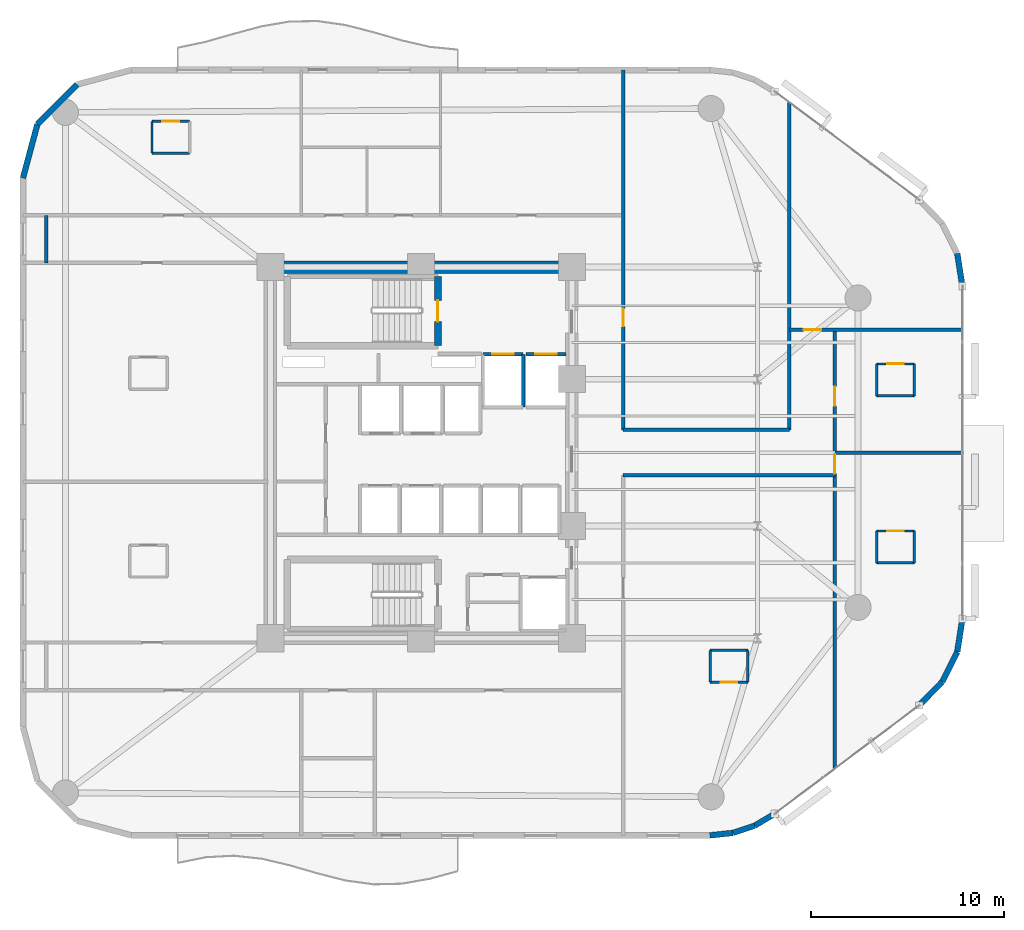
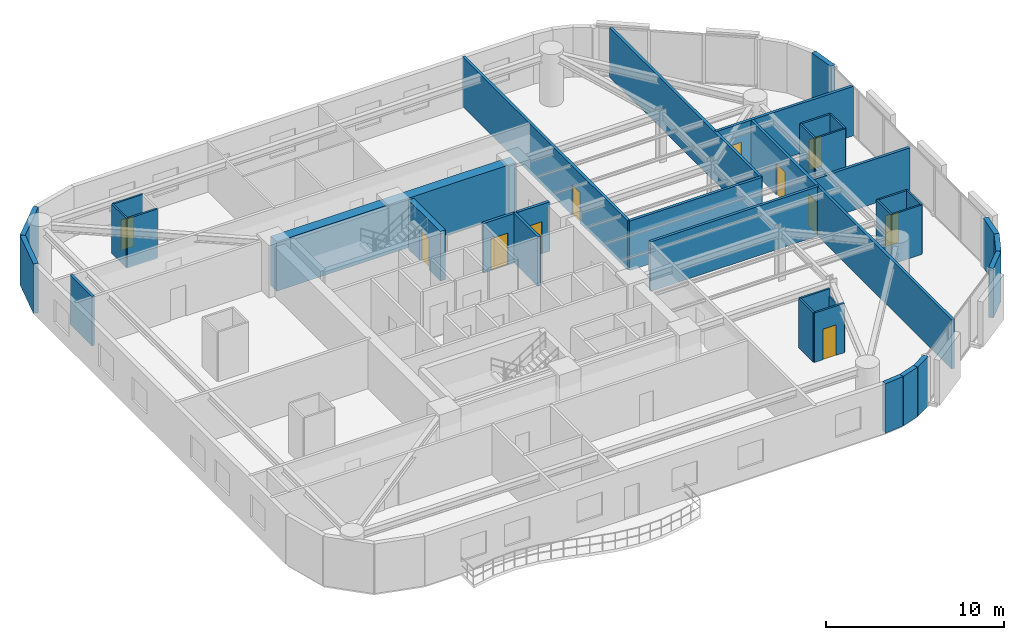
# One storey, part 12 of 16: 37 walls, 11 doors, 11 openings.
"""IFC4 building model written with IfcOpenShell, lengths in metres."""

from ifc_helpers import new_model, si_unit, direction, frame, frame_2d, origin, place, context, subcontext, project, spatial, rectangle, extrude, material, layer, layer_set, type_object, element, fill, save


model = new_model("IFC4")

# Units and contexts
model_context = context("Model", 3, precision=1e-05, world=origin(), true_north=direction((0.0, 1.0)))
body_context = subcontext(model_context, "Body", "Model", "MODEL_VIEW")
ifc_project = project(units=[si_unit("LENGTHUNIT", "METRE"), si_unit("AREAUNIT", "SQUARE_METRE"), si_unit("VOLUMEUNIT", "CUBIC_METRE"), si_unit("PLANEANGLEUNIT", "RADIAN"), si_unit("MASSUNIT", "GRAM", prefix="KILO")], contexts=[model_context])

# Site, building, storey
site_placement = place(None, origin())
site = spatial("IfcSite", under=ifc_project, at=site_placement, CompositionType="ELEMENT")
building_placement = place(site_placement, origin())
building = spatial("IfcBuilding", under=site, at=building_placement, Name="An Khanh Terracotta Commons", CompositionType="ELEMENT")
storey_placement = place(building_placement, frame((0.0, 0.0, 107.89990234375)))
storey = spatial("IfcBuildingStorey", under=building, at=storey_placement, Name="L28", CompositionType="ELEMENT", Elevation=107.89990234375)

# Wall
ifc_material_1 = material(Name="Concrete C60/75", Category="concrete")
ifc_layer_1 = layer(ifc_material_1, 0.64990234375, Name="Concrete C60/75")
ifc_layer_set_1 = layer_set([ifc_layer_1], Name="Concrete C60/75")
wall_type_1 = type_object("IfcWallType", Name="WALL-CORE-650", PredefinedType="SHEAR", material=ifc_layer_set_1)
wall_1_placement = place(storey_placement, frame((21.60009765625, 33.60009765625, 0.0), z_axis=(0.0, 0.0, 1.0), x_axis=(1.0, 0.0, 0.0)))
element("IfcWall", 1, at=wall_1_placement, inside=storey, type_object=wall_type_1, Name="L28 Core Wall CWALL-L28-N", PredefinedType="SHEAR", context=body_context, shape_type="SweptSolid", body=[
    extrude(rectangle(XDim=15.599853515625, YDim=0.64990234375, at=frame_2d((7.7998046875, 0.0))), origin(), (0.0, 0.0, 1.0), 3.400146484375),
])

# Wall, opening, door
ifc_material_2 = material(Name="Fire-Rated Gypsum Board on Steel Stud", Category="steel")
ifc_layer_2 = layer(ifc_material_2, 0.179931640625, Name="Fire-Rated Gypsum Board on Steel Stud")
ifc_layer_set_2 = layer_set([ifc_layer_2], Name="Fire-Rated Gypsum Board on Steel Stud")
wall_type_2 = type_object("IfcWallType", Name="WALL-CORR-180", PredefinedType="PARTITIONING", material=ifc_layer_set_2)
wall_2_placement = place(storey_placement, frame((32.60009765625, 29.080078125, 0.0), z_axis=(0.0, 0.0, 1.0), x_axis=(1.0, 0.0, 0.0)))
wall_2 = element("IfcWall", 2, at=wall_2_placement, inside=storey, type_object=wall_type_2, Name="L28 Core Wall LSH-L28-FFL-01-N", PredefinedType="PARTITIONING", context=body_context, shape_type="SweptSolid", body=[
    extrude(rectangle(XDim=2.079833984375, YDim=0.179931640625, at=frame_2d((1.0400390625, 0.0))), origin(), (0.0, 0.0, 1.0), 3.400146484375),
])
opening_1_placement = place(wall_2_placement, frame((0.489990234375, 0.0, 0.0)))
opening_1 = element("IfcOpeningElement", 3, at=opening_1_placement, cuts=wall_2, Name="Opening LD-FFL-01-L28", PredefinedType="OPENING", context=body_context, shape_type="SweptSolid", body=[
    extrude(rectangle(XDim=1.10009765625, YDim=2.199951171875, at=frame_2d((0.550048828125, 1.10009765625))), frame((0.0, 0.099853515625, 0.0), z_axis=(0.0, -1.0, 0.0), x_axis=(1.0, 0.0, 0.0)), (0.0, 0.0, 1.0), 0.199951171875),
])
ifc_material_3 = material(Name="Brushed Stainless Steel Fire Landing Door", Category="steel")
door_type_1 = type_object("IfcDoorType", Name="DOOR-LD-FFL-1100", OperationType="NOTDEFINED", PredefinedType="DOOR", material=ifc_material_3)
door_1_placement = place(opening_1_placement, origin())
door_1 = element("IfcDoor", 4, at=door_1_placement, inside=storey, type_object=door_type_1, Name="L28 Lift FFL-01 Sliding Landing Door", OperationType="DOUBLE_DOOR_SLIDING", OverallHeight=2.199951171875, OverallWidth=1.10009765625, PredefinedType="DOOR", context=body_context, shape_type="SweptSolid", body=[
    extrude(rectangle(XDim=1.10009765625, YDim=2.199951171875, at=frame_2d((0.550048828125, 1.10009765625))), frame((0.0, 0.02490234375, 0.0), z_axis=(0.0, -1.0, 0.0), x_axis=(1.0, 0.0, 0.0)), (0.0, 0.0, 1.0), 0.050048828125),
])
fill(opening_1, door_1)

# Wall
wall_3_placement = place(storey_placement, frame((34.679931640625, 26.35009765625, 0.0), z_axis=(0.0, 0.0, 1.0), x_axis=(0.0, 1.0, 0.0)))
element("IfcWall", 5, at=wall_3_placement, inside=storey, type_object=wall_type_2, Name="L28 Core Wall LSH-L28-FFL-01-E", PredefinedType="PARTITIONING", context=body_context, shape_type="SweptSolid", body=[
    extrude(rectangle(XDim=2.72998046875, YDim=0.179931640625, at=frame_2d((1.364990234375, 0.0))), origin(), (0.0, 0.0, 1.0), 3.400146484375),
])

# Wall, opening, door
wall_4_placement = place(storey_placement, frame((34.820068359375, 29.080078125, 0.0), z_axis=(0.0, 0.0, 1.0), x_axis=(1.0, 0.0, 0.0)))
wall_4 = element("IfcWall", 6, at=wall_4_placement, inside=storey, type_object=wall_type_2, Name="L28 Core Wall LSH-L28-FFL-02-N", PredefinedType="PARTITIONING", context=body_context, shape_type="SweptSolid", body=[
    extrude(rectangle(XDim=2.079833984375, YDim=0.179931640625, at=frame_2d((1.0400390625, 0.0))), origin(), (0.0, 0.0, 1.0), 3.400146484375),
])
opening_2_placement = place(wall_4_placement, frame((0.489990234375, 0.0, 0.0)))
opening_2 = element("IfcOpeningElement", 7, at=opening_2_placement, cuts=wall_4, Name="Opening LD-FFL-02-L28", PredefinedType="OPENING", context=body_context, shape_type="SweptSolid", body=[
    extrude(rectangle(XDim=1.10009765625, YDim=2.199951171875, at=frame_2d((0.550048828125, 1.10009765625))), frame((0.0, 0.099853515625, 0.0), z_axis=(0.0, -1.0, 0.0), x_axis=(1.0, 0.0, 0.0)), (0.0, 0.0, 1.0), 0.199951171875),
])
door_2_placement = place(opening_2_placement, origin())
door_2 = element("IfcDoor", 8, at=door_2_placement, inside=storey, type_object=door_type_1, Name="L28 Lift FFL-02 Sliding Landing Door", OperationType="DOUBLE_DOOR_SLIDING", OverallHeight=2.199951171875, OverallWidth=1.10009765625, PredefinedType="DOOR", context=body_context, shape_type="SweptSolid", body=[
    extrude(rectangle(XDim=1.10009765625, YDim=2.199951171875, at=frame_2d((0.550048828125, 1.10009765625))), frame((0.0, 0.02490234375, 0.0), z_axis=(0.0, -1.0, 0.0), x_axis=(1.0, 0.0, 0.0)), (0.0, 0.0, 1.0), 0.050048828125),
])
fill(opening_2, door_2)

# Walls
wall_5_placement = place(storey_placement, frame((39.85009765625, 22.820068359375, 0.0), z_axis=(0.0, 0.0, 1.0), x_axis=(1.0, 0.0, 0.0)))
element("IfcWall", 9, at=wall_5_placement, inside=storey, type_object=wall_type_2, Name="L28 Interior Partition IW-L28-E005", PredefinedType="PARTITIONING", context=body_context, shape_type="SweptSolid", body=[
    extrude(rectangle(XDim=10.949951171875, YDim=0.179931640625, at=frame_2d((5.47509765625, 0.0))), origin(), (0.0, 0.0, 1.0), 3.400146484375),
])
wall_6_placement = place(storey_placement, frame((50.800048828125, 24.0, 0.0), z_axis=(0.0, 0.0, 1.0), x_axis=(1.0, 0.0, 0.0)))
element("IfcWall", 10, at=wall_6_placement, inside=storey, type_object=wall_type_2, Name="L28 Interior Partition IW-L28-E006", PredefinedType="PARTITIONING", context=body_context, shape_type="SweptSolid", body=[
    extrude(rectangle(XDim=6.599853515625, YDim=0.179931640625, at=frame_2d((3.2998046875, 0.0))), origin(), (0.0, 0.0, 1.0), 3.022216796875),
])
wall_7_placement = place(storey_placement, frame((39.85009765625, 25.179931640625, 0.0), z_axis=(0.0, 0.0, 1.0), x_axis=(1.0, 0.0, 0.0)))
element("IfcWall", 11, at=wall_7_placement, inside=storey, type_object=wall_type_2, Name="L28 Interior Partition IW-L28-E007", PredefinedType="PARTITIONING", context=body_context, shape_type="SweptSolid", body=[
    extrude(rectangle(XDim=8.599853515625, YDim=0.179931640625, at=frame_2d((4.2998046875, 0.0))), origin(), (0.0, 0.0, 1.0), 3.400146484375),
])

# Wall, opening, door
wall_8_placement = place(storey_placement, frame((48.449951171875, 30.35009765625, 0.0), z_axis=(0.0, 0.0, 1.0), x_axis=(1.0, 0.0, 0.0)))
wall_8 = element("IfcWall", 12, at=wall_8_placement, inside=storey, type_object=wall_type_2, Name="L28 Interior Partition IW-L28-E008", PredefinedType="PARTITIONING", context=body_context, shape_type="SweptSolid", body=[
    extrude(rectangle(XDim=8.949951171875, YDim=0.179931640625, at=frame_2d((4.47509765625, 0.0))), origin(), (0.0, 0.0, 1.0), 3.400146484375),
])
opening_3_placement = place(wall_8_placement, frame((0.73291015625, 0.0, 0.0)))
opening_3 = element("IfcOpeningElement", 13, at=opening_3_placement, cuts=wall_8, Name="Opening D-RM", PredefinedType="OPENING", context=body_context, shape_type="SweptSolid", body=[
    extrude(rectangle(XDim=0.919921875, YDim=2.10009765625, at=frame_2d((0.4599609375, 1.050048828125))), frame((0.0, 0.099853515625, 0.0), z_axis=(0.0, -1.0, 0.0), x_axis=(1.0, 0.0, 0.0)), (0.0, 0.0, 1.0), 0.199951171875),
])
ifc_material_4 = material(Name="Engineered Hardwood Timber Leaf", Category="wood")
door_type_2 = type_object("IfcDoorType", Name="DOOR-INT-920", OperationType="NOTDEFINED", PredefinedType="DOOR", material=ifc_material_4)
door_3_placement = place(opening_3_placement, origin())
door_3 = element("IfcDoor", 14, at=door_3_placement, inside=storey, type_object=door_type_2, Name="L28 ZCN Research Study Office Door", OperationType="SINGLE_SWING_RIGHT", OverallHeight=2.10009765625, OverallWidth=0.919921875, PredefinedType="DOOR", context=body_context, shape_type="SweptSolid", body=[
    extrude(rectangle(XDim=0.919921875, YDim=2.10009765625, at=frame_2d((0.4599609375, 1.050048828125))), frame((0.0, 0.02490234375, 0.0), z_axis=(0.0, -1.0, 0.0), x_axis=(1.0, 0.0, 0.0)), (0.0, 0.0, 1.0), 0.050048828125),
])
fill(opening_3, door_3)

# Wall
wall_9_placement = place(storey_placement, frame((10.0, 33.820068359375, 0.0), z_axis=(0.0, 0.0, 1.0), x_axis=(0.0, 1.0, 0.0)))
element("IfcWall", 15, at=wall_9_placement, inside=storey, type_object=wall_type_2, Name="L28 Interior Partition IW-L28-E013", PredefinedType="PARTITIONING", context=body_context, shape_type="SweptSolid", body=[
    extrude(rectangle(XDim=2.4599609375, YDim=0.179931640625, at=frame_2d((1.22998046875, 0.0))), origin(), (0.0, 0.0, 1.0), 3.400146484375),
])

# Wall, opening, door
wall_10_placement = place(storey_placement, frame((39.85009765625, 25.179931640625, 0.0), z_axis=(0.0, 0.0, 1.0), x_axis=(0.0, 1.0, 0.0)))
wall_10 = element("IfcWall", 16, at=wall_10_placement, inside=storey, type_object=wall_type_2, Name="L28 Interior Partition IW-L28-E020", PredefinedType="PARTITIONING", context=body_context, shape_type="SweptSolid", body=[
    extrude(rectangle(XDim=18.6201171875, YDim=0.179931640625, at=frame_2d((9.31005859375, 0.0))), origin(), (0.0, 0.0, 1.0), 3.400146484375),
])
opening_4_placement = place(wall_10_placement, frame((5.35009765625, 0.0, 0.0)))
opening_4 = element("IfcOpeningElement", 17, at=opening_4_placement, cuts=wall_10, Name="Opening D-RM", PredefinedType="OPENING", context=body_context, shape_type="SweptSolid", body=[
    extrude(rectangle(XDim=0.919921875, YDim=2.10009765625, at=frame_2d((0.4599609375, 1.050048828125))), frame((0.0, 0.099853515625, 0.0), z_axis=(0.0, -1.0, 0.0), x_axis=(1.0, 0.0, 0.0)), (0.0, 0.0, 1.0), 0.199951171875),
])
door_4_placement = place(opening_4_placement, origin())
door_4 = element("IfcDoor", 18, at=door_4_placement, inside=storey, type_object=door_type_2, Name="L28 ZW1 Research Study Office Door", OperationType="SINGLE_SWING_RIGHT", OverallHeight=2.10009765625, OverallWidth=0.919921875, PredefinedType="DOOR", context=body_context, shape_type="SweptSolid", body=[
    extrude(rectangle(XDim=0.919921875, YDim=2.10009765625, at=frame_2d((0.4599609375, 1.050048828125))), frame((0.0, 0.02490234375, 0.0), z_axis=(0.0, -1.0, 0.0), x_axis=(1.0, 0.0, 0.0)), (0.0, 0.0, 1.0), 0.050048828125),
])
fill(opening_4, door_4)

# Wall
wall_11_placement = place(storey_placement, frame((48.449951171875, 25.179931640625, 0.0), z_axis=(0.0, 0.0, 1.0), x_axis=(0.0, 1.0, 0.0)))
element("IfcWall", 19, at=wall_11_placement, inside=storey, type_object=wall_type_2, Name="L28 Interior Partition IW-L28-E021", PredefinedType="PARTITIONING", context=body_context, shape_type="SweptSolid", body=[
    extrude(rectangle(XDim=16.93212890625, YDim=0.179931640625, at=frame_2d((8.466064453125, 0.0))), origin(), (0.0, 0.0, 1.0), 3.400146484375),
])

# Wall, openings, doors
wall_12_placement = place(storey_placement, frame((50.800048828125, 7.64990234375, 0.0), z_axis=(0.0, 0.0, 1.0), x_axis=(0.0, 1.0, 0.0)))
wall_12 = element("IfcWall", 20, at=wall_12_placement, inside=storey, type_object=wall_type_2, Name="L28 Interior Partition IW-L28-E022", PredefinedType="PARTITIONING", context=body_context, shape_type="SweptSolid", body=[
    extrude(rectangle(XDim=22.7001953125, YDim=0.179931640625, at=frame_2d((11.35009765625, 0.0))), origin(), (0.0, 0.0, 1.0), 3.400146484375),
])
opening_5_placement = place(wall_12_placement, frame((18.764892578125, 0.0, 0.0)))
opening_5 = element("IfcOpeningElement", 21, at=opening_5_placement, cuts=wall_12, Name="Opening D-UN", PredefinedType="OPENING", context=body_context, shape_type="SweptSolid", body=[
    extrude(rectangle(XDim=1.0, YDim=2.14990234375, at=frame_2d((0.5, 1.074951171875))), frame((0.0, 0.099853515625, 0.0), z_axis=(0.0, -1.0, 0.0), x_axis=(1.0, 0.0, 0.0)), (0.0, 0.0, 1.0), 0.199951171875),
])
opening_6_placement = place(wall_12_placement, frame((15.260009765625, 0.0, 0.0)))
opening_6 = element("IfcOpeningElement", 22, at=opening_6_placement, cuts=wall_12, Name="Opening D-UN", PredefinedType="OPENING", context=body_context, shape_type="SweptSolid", body=[
    extrude(rectangle(XDim=1.0, YDim=2.14990234375, at=frame_2d((0.5, 1.074951171875))), frame((0.0, 0.099853515625, 0.0), z_axis=(0.0, -1.0, 0.0), x_axis=(1.0, 0.0, 0.0)), (0.0, 0.0, 1.0), 0.199951171875),
])
ifc_material_5 = material(Name="Solid-Core Hardwood Acoustic Fire Door", Category="wood")
door_type_3 = type_object("IfcDoorType", Name="DOOR-UNIT-1000", OperationType="NOTDEFINED", PredefinedType="DOOR", material=ifc_material_5)
door_5_placement = place(opening_5_placement, origin())
door_5 = element("IfcDoor", 23, at=door_5_placement, inside=storey, type_object=door_type_3, Name="L28 ZE1 Kitchenette and Studio Apartment Door", OperationType="SINGLE_SWING_LEFT", OverallHeight=2.14990234375, OverallWidth=1.0, PredefinedType="DOOR", context=body_context, shape_type="SweptSolid", body=[
    extrude(rectangle(XDim=1.0, YDim=2.14990234375, at=frame_2d((0.5, 1.074951171875))), frame((0.0, 0.02490234375, 0.0), z_axis=(0.0, -1.0, 0.0), x_axis=(1.0, 0.0, 0.0)), (0.0, 0.0, 1.0), 0.050048828125),
])
fill(opening_5, door_5)
door_6_placement = place(opening_6_placement, origin())
door_6 = element("IfcDoor", 24, at=door_6_placement, inside=storey, type_object=door_type_3, Name="L28 ZE2 Kitchenette and Studio Apartment Door", OperationType="SINGLE_SWING_RIGHT", OverallHeight=2.14990234375, OverallWidth=1.0, PredefinedType="DOOR", context=body_context, shape_type="SweptSolid", body=[
    extrude(rectangle(XDim=1.0, YDim=2.14990234375, at=frame_2d((0.5, 1.074951171875))), frame((0.0, 0.02490234375, 0.0), z_axis=(0.0, -1.0, 0.0), x_axis=(1.0, 0.0, 0.0)), (0.0, 0.0, 1.0), 0.050048828125),
])
fill(opening_6, door_6)

# Walls
ifc_material_6 = material(Name="Precast concrete C40/50", Category="concrete")
ifc_layer_3 = layer(ifc_material_6, 0.300048828125, Name="Precast concrete C40/50")
ifc_layer_set_3 = layer_set([ifc_layer_3], Name="Precast concrete C40/50")
wall_type_3 = type_object("IfcWallType", Name="WALL-EXT-300", PredefinedType="SOLIDWALL", material=ifc_layer_set_3)
wall_13_placement = place(storey_placement, frame((44.3330078125, 4.199951171875, 0.0), z_axis=(0.0, 0.0, 1.0), x_axis=(0.994289103787, 0.106720092254, 0.0)))
element("IfcWall", 25, at=wall_13_placement, inside=storey, type_object=wall_type_3, Name="L28 Insulated Terracotta Exterior Wall 5", PredefinedType="SOLIDWALL", context=body_context, shape_type="SweptSolid", body=[
    extrude(rectangle(XDim=1.19873046875, YDim=0.300048828125, at=frame_2d((0.599365234375, 0.0))), origin(), (0.0, 0.0, 1.0), 3.400146484375),
])
wall_14_placement = place(storey_placement, frame((45.52490234375, 4.327880859375, 0.0), z_axis=(0.0, 0.0, 1.0), x_axis=(0.948744332129, 0.316044604847, 0.0)))
element("IfcWall", 26, at=wall_14_placement, inside=storey, type_object=wall_type_3, Name="L28 Insulated Terracotta Exterior Wall 6", PredefinedType="SOLIDWALL", context=body_context, shape_type="SweptSolid", body=[
    extrude(rectangle(XDim=1.19970703125, YDim=0.300048828125, at=frame_2d((0.599853515625, 0.0))), origin(), (0.0, 0.0, 1.0), 3.400146484375),
])
wall_15_placement = place(storey_placement, frame((46.6630859375, 4.70703125, 0.0), z_axis=(0.0, 0.0, 1.0), x_axis=(0.859320591642, 0.511437308749, 0.0)))
element("IfcWall", 27, at=wall_15_placement, inside=storey, type_object=wall_type_3, Name="L28 Insulated Terracotta Exterior Wall 7", PredefinedType="SOLIDWALL", context=body_context, shape_type="SweptSolid", body=[
    extrude(rectangle(XDim=1.19873046875, YDim=0.300048828125, at=frame_2d((0.599365234375, 0.0))), origin(), (0.0, 0.0, 1.0), 3.400146484375),
])
for number, where, z_axis, x_axis, name in (
    (28, (55.159912109375, 10.919921875, 0.0), (0.0, 0.0, 1.0), (0.6983450845, 0.715761233201, 0.0), "L28 Insulated Terracotta Exterior Wall 9"),
    (29, (56.364013671875, 12.154052734375, 0.0), (0.0, 0.0, 1.0), (0.4472135955, 0.894427191, 0.0), "L28 Insulated Terracotta Exterior Wall 10"),
):
    element("IfcWall", number, at=place(storey_placement, frame(where, z_axis=z_axis, x_axis=x_axis)), inside=storey, type_object=wall_type_3, Name=name, PredefinedType="SOLIDWALL", context=body_context, shape_type="SweptSolid", body=[
        extrude(rectangle(XDim=1.72412109375, YDim=0.300048828125, at=frame_2d((0.862060546875, 0.0))), origin(), (0.0, 0.0, 1.0), 3.400146484375),
    ])
for number, where, z_axis, x_axis, name in (
    (30, (57.135009765625, 13.696044921875, 0.0), (0.0, 0.0, 1.0), (0.153620989032, 0.988129845581, 0.0), "L28 Insulated Terracotta Exterior Wall 11"),
    (31, (57.39990234375, 32.60009765625, 0.0), (0.0, 0.0, 1.0), (-0.153620989032, 0.988129845581, 0.0), "L28 Insulated Terracotta Exterior Wall 13"),
):
    element("IfcWall", number, at=place(storey_placement, frame(where, z_axis=z_axis, x_axis=x_axis)), inside=storey, type_object=wall_type_3, Name=name, PredefinedType="SOLIDWALL", context=body_context, shape_type="SweptSolid", body=[
        extrude(rectangle(XDim=1.724365234375, YDim=0.300048828125, at=frame_2d((0.8623046875, 0.0))), origin(), (0.0, 0.0, 1.0), 3.400146484375),
    ])
wall_16_placement = place(storey_placement, frame((11.60009765625, 43.050048828125, 0.0), z_axis=(0.0, 0.0, 1.0), x_axis=(-0.707106781187, -0.707106781187, 0.0)))
element("IfcWall", 32, at=wall_16_placement, inside=storey, type_object=wall_type_3, Name="L28 Insulated Terracotta Exterior Wall 22", PredefinedType="SOLIDWALL", context=body_context, shape_type="SweptSolid", body=[
    extrude(rectangle(XDim=2.899169921875, YDim=0.300048828125, at=frame_2d((1.44970703125, 0.0))), origin(), (0.0, 0.0, 1.0), 3.400146484375),
])
wall_17_placement = place(storey_placement, frame((9.550048828125, 41.0, 0.0), z_axis=(0.0, 0.0, 1.0), x_axis=(-0.258731875344, -0.96594917914, 0.0)))
element("IfcWall", 33, at=wall_17_placement, inside=storey, type_object=wall_type_3, Name="L28 Insulated Terracotta Exterior Wall 23", PredefinedType="SOLIDWALL", context=body_context, shape_type="SweptSolid", body=[
    extrude(rectangle(XDim=2.898681640625, YDim=0.300048828125, at=frame_2d((1.44921875, 0.0))), origin(), (0.0, 0.0, 1.0), 3.400146484375),
])

# Wall, opening, door
ifc_material_7 = material(Name="Concrete C50/60", Category="concrete")
ifc_layer_4 = layer(ifc_material_7, 0.35009765625, Name="Concrete C50/60")
ifc_layer_set_4 = layer_set([ifc_layer_4], Name="Concrete C50/60")
wall_type_4 = type_object("IfcWallType", Name="WALL-SHAFT-350", PredefinedType="SOLIDWALL", material=ifc_layer_set_4)
wall_18_placement = place(storey_placement, frame((30.27001953125, 29.530029296875, 0.0), z_axis=(0.0, 0.0, 1.0), x_axis=(0.0, 1.0, 0.0)))
wall_18 = element("IfcWall", 34, at=wall_18_placement, inside=storey, type_object=wall_type_4, Name="L28 Core Wall STW-L28-N-E", PredefinedType="SOLIDWALL", context=body_context, shape_type="SweptSolid", body=[
    extrude(rectangle(XDim=3.580078125, YDim=0.35009765625, at=frame_2d((1.7900390625, 0.0))), origin(), (0.0, 0.0, 1.0), 3.400146484375),
])
opening_7_placement = place(wall_18_placement, frame((1.25, 0.0, 0.0)))
opening_7 = element("IfcOpeningElement", 35, at=opening_7_placement, cuts=wall_18, Name="Opening D-ST", PredefinedType="OPENING", context=body_context, shape_type="SweptSolid", body=[
    extrude(rectangle(XDim=1.10009765625, YDim=2.14990234375, at=frame_2d((0.550048828125, 1.074951171875))), frame((0.0, 0.18505859375, 0.0), z_axis=(0.0, -1.0, 0.0), x_axis=(1.0, 0.0, 0.0)), (0.0, 0.0, 1.0), 0.3701171875),
])
ifc_material_8 = material(Name="Fire-Rated Steel Leaf and Frame", Category="steel")
door_type_4 = type_object("IfcDoorType", Name="DOOR-STAIR-1100", OperationType="NOTDEFINED", PredefinedType="DOOR", material=ifc_material_8)
door_7_placement = place(opening_7_placement, origin())
door_7 = element("IfcDoor", 36, at=door_7_placement, inside=storey, type_object=door_type_4, Name="L28 Stair ST-01 Fire Door", OperationType="SINGLE_SWING_LEFT", OverallHeight=2.14990234375, OverallWidth=1.10009765625, PredefinedType="DOOR", context=body_context, shape_type="SweptSolid", body=[
    extrude(rectangle(XDim=1.10009765625, YDim=2.14990234375, at=frame_2d((0.550048828125, 1.074951171875))), frame((0.0, 0.02490234375, 0.0), z_axis=(0.0, -1.0, 0.0), x_axis=(1.0, 0.0, 0.0)), (0.0, 0.0, 1.0), 0.050048828125),
])
fill(opening_7, door_7)

# Wall
ifc_material_9 = material(Name="Moisture-Resistant Cement Board Partition")
ifc_layer_5 = layer(ifc_material_9, 0.1201171875, Name="Moisture-Resistant Cement Board Partition")
ifc_layer_set_5 = layer_set([ifc_layer_5], Name="Moisture-Resistant Cement Board Partition")
wall_type_5 = type_object("IfcWallType", Name="WALL-WET-120", PredefinedType="PARTITIONING", material=ifc_layer_set_5)
wall_19_placement = place(storey_placement, frame((44.35009765625, 13.77490234375, 0.0), z_axis=(0.0, 0.0, 1.0), x_axis=(1.0, 0.0, 0.0)))
element("IfcWall", 37, at=wall_19_placement, inside=storey, type_object=wall_type_5, Name="L28 Interior Partition IW-L28-ZW2-BN", PredefinedType="PARTITIONING", context=body_context, shape_type="SweptSolid", body=[
    extrude(rectangle(XDim=1.949951171875, YDim=0.1201171875, at=frame_2d((0.97509765625, 0.0))), origin(), (0.0, 0.0, 1.0), 3.400146484375),
])

# Wall, opening, door
wall_20_placement = place(storey_placement, frame((46.300048828125, 12.125, 0.0), z_axis=(0.0, 0.0, 1.0), x_axis=(-1.0, 0.0, 0.0)))
wall_20 = element("IfcWall", 38, at=wall_20_placement, inside=storey, type_object=wall_type_5, Name="L28 Interior Partition IW-L28-ZW2-BS", PredefinedType="PARTITIONING", context=body_context, shape_type="SweptSolid", body=[
    extrude(rectangle(XDim=1.949951171875, YDim=0.1201171875, at=frame_2d((0.97509765625, 0.0))), origin(), (0.0, 0.0, 1.0), 3.400146484375),
])
opening_8_placement = place(wall_20_placement, frame((0.544921875, 0.0, 0.0)))
opening_8 = element("IfcOpeningElement", 39, at=opening_8_placement, cuts=wall_20, Name="Opening D-ENS", PredefinedType="OPENING", context=body_context, shape_type="SweptSolid", body=[
    extrude(rectangle(XDim=0.860107421875, YDim=2.10009765625, at=frame_2d((0.43017578125, 1.050048828125))), frame((0.0, 0.070068359375, 0.0), z_axis=(0.0, -1.0, 0.0), x_axis=(1.0, 0.0, 0.0)), (0.0, 0.0, 1.0), 0.14013671875),
])
ifc_material_10 = material(Name="Moisture-Resistant Hardwood Timber Leaf", Category="wood")
door_type_5 = type_object("IfcDoorType", Name="DOOR-BATH-860", OperationType="NOTDEFINED", PredefinedType="DOOR", material=ifc_material_10)
door_8_placement = place(opening_8_placement, origin())
door_8 = element("IfcDoor", 40, at=door_8_placement, inside=storey, type_object=door_type_5, Name="L28 Studio ZW2 En-suite Door", OperationType="SINGLE_SWING_LEFT", OverallHeight=2.10009765625, OverallWidth=0.860107421875, PredefinedType="DOOR", context=body_context, shape_type="SweptSolid", body=[
    extrude(rectangle(XDim=0.860107421875, YDim=2.10009765625, at=frame_2d((0.43017578125, 1.050048828125))), frame((0.0, 0.02490234375, 0.0), z_axis=(0.0, -1.0, 0.0), x_axis=(1.0, 0.0, 0.0)), (0.0, 0.0, 1.0), 0.050048828125),
])
fill(opening_8, door_8)

# Walls
wall_21_placement = place(storey_placement, frame((44.35009765625, 13.77490234375, 0.0), z_axis=(0.0, 0.0, 1.0), x_axis=(0.0, -1.0, 0.0)))
element("IfcWall", 41, at=wall_21_placement, inside=storey, type_object=wall_type_5, Name="L28 Interior Partition IW-L28-ZW2-BW", PredefinedType="PARTITIONING", context=body_context, shape_type="SweptSolid", body=[
    extrude(rectangle(XDim=1.64990234375, YDim=0.1201171875, at=frame_2d((0.824951171875, 0.0))), origin(), (0.0, 0.0, 1.0), 3.400146484375),
])
wall_22_placement = place(storey_placement, frame((46.300048828125, 12.125, 0.0), z_axis=(0.0, 0.0, 1.0), x_axis=(0.0, 1.0, 0.0)))
element("IfcWall", 42, at=wall_22_placement, inside=storey, type_object=wall_type_5, Name="L28 Interior Partition IW-L28-ZW2-BE", PredefinedType="PARTITIONING", context=body_context, shape_type="SweptSolid", body=[
    extrude(rectangle(XDim=1.64990234375, YDim=0.1201171875, at=frame_2d((0.824951171875, 0.0))), origin(), (0.0, 0.0, 1.0), 2.882080078125),
])

# Wall, opening, door
wall_23_placement = place(storey_placement, frame((52.965087890625, 28.590087890625, 0.0), z_axis=(0.0, 0.0, 1.0), x_axis=(1.0, 0.0, 0.0)))
wall_23 = element("IfcWall", 43, at=wall_23_placement, inside=storey, type_object=wall_type_5, Name="L28 Interior Partition IW-L28-ZE1-BN", PredefinedType="PARTITIONING", context=body_context, shape_type="SweptSolid", body=[
    extrude(rectangle(XDim=1.949951171875, YDim=0.1201171875, at=frame_2d((0.97509765625, 0.0))), origin(), (0.0, 0.0, 1.0), 3.400146484375),
])
opening_9_placement = place(wall_23_placement, frame((0.544921875, 0.0, 0.0)))
opening_9 = element("IfcOpeningElement", 44, at=opening_9_placement, cuts=wall_23, Name="Opening D-ENS", PredefinedType="OPENING", context=body_context, shape_type="SweptSolid", body=[
    extrude(rectangle(XDim=0.860107421875, YDim=2.10009765625, at=frame_2d((0.43017578125, 1.050048828125))), frame((0.0, 0.070068359375, 0.0), z_axis=(0.0, -1.0, 0.0), x_axis=(1.0, 0.0, 0.0)), (0.0, 0.0, 1.0), 0.14013671875),
])
door_9_placement = place(opening_9_placement, origin())
door_9 = element("IfcDoor", 45, at=door_9_placement, inside=storey, type_object=door_type_5, Name="L28 Studio ZE1 En-suite Door", OperationType="SINGLE_SWING_RIGHT", OverallHeight=2.10009765625, OverallWidth=0.860107421875, PredefinedType="DOOR", context=body_context, shape_type="SweptSolid", body=[
    extrude(rectangle(XDim=0.860107421875, YDim=2.10009765625, at=frame_2d((0.43017578125, 1.050048828125))), frame((0.0, 0.02490234375, 0.0), z_axis=(0.0, -1.0, 0.0), x_axis=(1.0, 0.0, 0.0)), (0.0, 0.0, 1.0), 0.050048828125),
])
fill(opening_9, door_9)

# Walls
wall_24_placement = place(storey_placement, frame((54.9150390625, 26.93994140625, 0.0), z_axis=(0.0, 0.0, 1.0), x_axis=(-1.0, 0.0, 0.0)))
element("IfcWall", 46, at=wall_24_placement, inside=storey, type_object=wall_type_5, Name="L28 Interior Partition IW-L28-ZE1-BS", PredefinedType="PARTITIONING", context=body_context, shape_type="SweptSolid", body=[
    extrude(rectangle(XDim=1.949951171875, YDim=0.1201171875, at=frame_2d((0.97509765625, 0.0))), origin(), (0.0, 0.0, 1.0), 3.400146484375),
])
for number, where, z_axis, x_axis, name in (
    (47, (52.965087890625, 28.590087890625, 0.0), (0.0, 0.0, 1.0), (0.0, -1.0, 0.0), "L28 Interior Partition IW-L28-ZE1-BW"),
    (48, (54.9150390625, 26.93994140625, 0.0), (0.0, 0.0, 1.0), (0.0, 1.0, 0.0), "L28 Interior Partition IW-L28-ZE1-BE"),
):
    element("IfcWall", number, at=place(storey_placement, frame(where, z_axis=z_axis, x_axis=x_axis)), inside=storey, type_object=wall_type_5, Name=name, PredefinedType="PARTITIONING", context=body_context, shape_type="SweptSolid", body=[
        extrude(rectangle(XDim=1.650146484375, YDim=0.1201171875, at=frame_2d((0.8251953125, 0.0))), origin(), (0.0, 0.0, 1.0), 3.400146484375),
    ])

# Wall, opening, door
wall_25_placement = place(storey_placement, frame((52.965087890625, 19.947021484375, 0.0), z_axis=(0.0, 0.0, 1.0), x_axis=(1.0, 0.0, 0.0)))
wall_25 = element("IfcWall", 49, at=wall_25_placement, inside=storey, type_object=wall_type_5, Name="L28 Interior Partition IW-L28-ZE2-BN", PredefinedType="PARTITIONING", context=body_context, shape_type="SweptSolid", body=[
    extrude(rectangle(XDim=1.949951171875, YDim=0.1201171875, at=frame_2d((0.97509765625, 0.0))), origin(), (0.0, 0.0, 1.0), 3.400146484375),
])
opening_10_placement = place(wall_25_placement, frame((0.544921875, 0.0, 0.0)))
opening_10 = element("IfcOpeningElement", 50, at=opening_10_placement, cuts=wall_25, Name="Opening D-ENS", PredefinedType="OPENING", context=body_context, shape_type="SweptSolid", body=[
    extrude(rectangle(XDim=0.860107421875, YDim=2.10009765625, at=frame_2d((0.43017578125, 1.050048828125))), frame((0.0, 0.070068359375, 0.0), z_axis=(0.0, -1.0, 0.0), x_axis=(1.0, 0.0, 0.0)), (0.0, 0.0, 1.0), 0.14013671875),
])
door_10_placement = place(opening_10_placement, origin())
door_10 = element("IfcDoor", 51, at=door_10_placement, inside=storey, type_object=door_type_5, Name="L28 Studio ZE2 En-suite Door", OperationType="SINGLE_SWING_LEFT", OverallHeight=2.10009765625, OverallWidth=0.860107421875, PredefinedType="DOOR", context=body_context, shape_type="SweptSolid", body=[
    extrude(rectangle(XDim=0.860107421875, YDim=2.10009765625, at=frame_2d((0.43017578125, 1.050048828125))), frame((0.0, 0.02490234375, 0.0), z_axis=(0.0, -1.0, 0.0), x_axis=(1.0, 0.0, 0.0)), (0.0, 0.0, 1.0), 0.050048828125),
])
fill(opening_10, door_10)

# Walls
wall_26_placement = place(storey_placement, frame((54.9150390625, 18.297119140625, 0.0), z_axis=(0.0, 0.0, 1.0), x_axis=(-1.0, 0.0, 0.0)))
element("IfcWall", 52, at=wall_26_placement, inside=storey, type_object=wall_type_5, Name="L28 Interior Partition IW-L28-ZE2-BS", PredefinedType="PARTITIONING", context=body_context, shape_type="SweptSolid", body=[
    extrude(rectangle(XDim=1.949951171875, YDim=0.1201171875, at=frame_2d((0.97509765625, 0.0))), origin(), (0.0, 0.0, 1.0), 3.400146484375),
])
for number, where, z_axis, x_axis, name in (
    (53, (52.965087890625, 19.947021484375, 0.0), (0.0, 0.0, 1.0), (0.0, -1.0, 0.0), "L28 Interior Partition IW-L28-ZE2-BW"),
    (54, (54.9150390625, 18.297119140625, 0.0), (0.0, 0.0, 1.0), (0.0, 1.0, 0.0), "L28 Interior Partition IW-L28-ZE2-BE"),
):
    element("IfcWall", number, at=place(storey_placement, frame(where, z_axis=z_axis, x_axis=x_axis)), inside=storey, type_object=wall_type_5, Name=name, PredefinedType="PARTITIONING", context=body_context, shape_type="SweptSolid", body=[
        extrude(rectangle(XDim=1.64990234375, YDim=0.1201171875, at=frame_2d((0.824951171875, 0.0))), origin(), (0.0, 0.0, 1.0), 3.400146484375),
    ])

# Wall, opening, door
wall_27_placement = place(storey_placement, frame((15.47412109375, 41.14208984375, 0.0), z_axis=(0.0, 0.0, 1.0), x_axis=(1.0, 0.0, 0.0)))
wall_27 = element("IfcWall", 55, at=wall_27_placement, inside=storey, type_object=wall_type_5, Name="L28 Interior Partition IW-L28-NW1-BN", PredefinedType="PARTITIONING", context=body_context, shape_type="SweptSolid", body=[
    extrude(rectangle(XDim=1.949951171875, YDim=0.1201171875, at=frame_2d((0.97509765625, 0.0))), origin(), (0.0, 0.0, 1.0), 3.400146484375),
])
opening_11_placement = place(wall_27_placement, frame((0.544921875, 0.0, 0.0)))
opening_11 = element("IfcOpeningElement", 56, at=opening_11_placement, cuts=wall_27, Name="Opening D-ENS", PredefinedType="OPENING", context=body_context, shape_type="SweptSolid", body=[
    extrude(rectangle(XDim=0.860107421875, YDim=2.10009765625, at=frame_2d((0.43017578125, 1.050048828125))), frame((0.0, 0.070068359375, 0.0), z_axis=(0.0, -1.0, 0.0), x_axis=(1.0, 0.0, 0.0)), (0.0, 0.0, 1.0), 0.14013671875),
])
door_11_placement = place(opening_11_placement, origin())
door_11 = element("IfcDoor", 57, at=door_11_placement, inside=storey, type_object=door_type_5, Name="L28 Studio NW1 En-suite Door", OperationType="SINGLE_SWING_RIGHT", OverallHeight=2.10009765625, OverallWidth=0.860107421875, PredefinedType="DOOR", context=body_context, shape_type="SweptSolid", body=[
    extrude(rectangle(XDim=0.860107421875, YDim=2.10009765625, at=frame_2d((0.43017578125, 1.050048828125))), frame((0.0, 0.02490234375, 0.0), z_axis=(0.0, -1.0, 0.0), x_axis=(1.0, 0.0, 0.0)), (0.0, 0.0, 1.0), 0.050048828125),
])
fill(opening_11, door_11)

# Walls
wall_28_placement = place(storey_placement, frame((17.424072265625, 39.491943359375, 0.0), z_axis=(0.0, 0.0, 1.0), x_axis=(-1.0, 0.0, 0.0)))
element("IfcWall", 58, at=wall_28_placement, inside=storey, type_object=wall_type_5, Name="L28 Interior Partition IW-L28-NW1-BS", PredefinedType="PARTITIONING", context=body_context, shape_type="SweptSolid", body=[
    extrude(rectangle(XDim=1.949951171875, YDim=0.1201171875, at=frame_2d((0.97509765625, 0.0))), origin(), (0.0, 0.0, 1.0), 3.400146484375),
])
wall_29_placement = place(storey_placement, frame((15.47412109375, 41.14208984375, 0.0), z_axis=(0.0, 0.0, 1.0), x_axis=(0.0, -1.0, 0.0)))
element("IfcWall", 59, at=wall_29_placement, inside=storey, type_object=wall_type_5, Name="L28 Interior Partition IW-L28-NW1-BW", PredefinedType="PARTITIONING", context=body_context, shape_type="SweptSolid", body=[
    extrude(rectangle(XDim=1.650146484375, YDim=0.1201171875, at=frame_2d((0.8251953125, 0.0))), origin(), (0.0, 0.0, 1.0), 3.400146484375),
])

save(model, "model.ifc")
